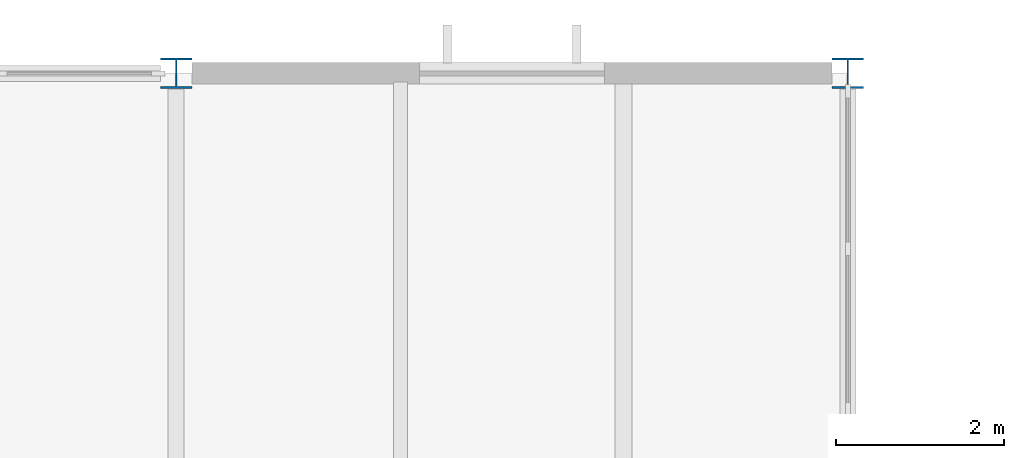
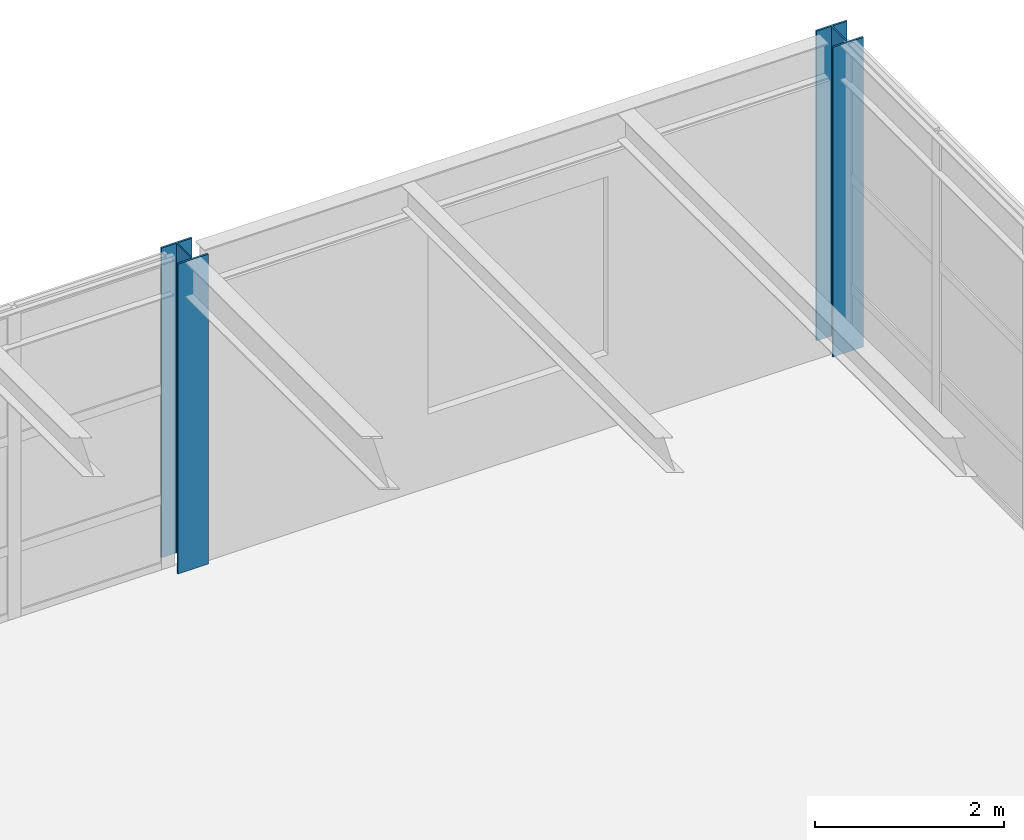
# One storey, part 8 of 50: 2 columns.
"""IFC4 building model written with IfcOpenShell, lengths in metres."""

import ifcopenshell
import ifcopenshell.guid

model = None  # the IFC model being written
_history = None  # IfcOwnerHistory: only IFC2X3 demands one
_inside = {}  # id of a spatial element -> (the spatial element, [elements in it])
_under = {}  # id of a project, library or spatial element -> (it, [spatial elements below it])
_declared = {}  # id of a project -> (the project, [libraries it declares])
_typed = {}  # id of a type object -> (the type object, [elements of that type])
_made_of = {}  # id of a material, layer set ... -> (it, [elements and type objects made of it])


def new_model(schema):
    """Start an empty IFC model of exactly this schema.

    Asked for "IFC4X3", IfcOpenShell would pick the latest addendum, in which some entities
    have other attributes; the version numbers below select the first issue.
    IFC2X3 requires an IfcOwnerHistory on every rooted entity: one is made here for all.
    """
    global model, _history
    if schema == "IFC4X3":
        model = ifcopenshell.file(schema_version=(4, 3, 0, 0))
    else:
        model = ifcopenshell.file(schema=schema)
    _inside.clear()
    _under.clear()
    _declared.clear()
    _typed.clear()
    _made_of.clear()
    _history = None
    if model.schema == "IFC2X3":
        org = make("IfcOrganization", Name="unknown")
        user = make(
            "IfcPersonAndOrganization",
            ThePerson=make("IfcPerson", FamilyName="unknown"),
            TheOrganization=org,
        )
        app = make(
            "IfcApplication",
            ApplicationDeveloper=org,
            Version="unknown",
            ApplicationFullName="unknown",
            ApplicationIdentifier="unknown",
        )
        _history = make(
            "IfcOwnerHistory",
            OwningUser=user,
            OwningApplication=app,
            ChangeAction="ADDED",
            CreationDate=0,
        )
    return model


def make(cls, **values):
    """One entity of the class cls with the attributes given. An attribute that is None is left unset."""
    return model.create_entity(
        cls, **{name: value for name, value in values.items() if value is not None}
    )


def rooted(cls, **values):
    """An entity with a GlobalId (a new one), such as an element, a storey or a relation."""
    return make(cls, GlobalId=ifcopenshell.guid.new(), OwnerHistory=_history, **values)


def si_unit(unit_type, name, prefix=None):
    """IfcSIUnit, for example si_unit("LENGTHUNIT", "METRE", prefix="MILLI")."""
    return make("IfcSIUnit", UnitType=unit_type, Prefix=prefix, Name=name)


def assignment(units):
    """IfcUnitAssignment: the units of a project."""
    return None if units is None else make("IfcUnitAssignment", Units=units)


def point(xyz):
    """IfcCartesianPoint."""
    return None if xyz is None else make("IfcCartesianPoint", Coordinates=xyz)


def direction(xyz):
    """IfcDirection."""
    return None if xyz is None else make("IfcDirection", DirectionRatios=xyz)


def frame(location, z_axis=None, x_axis=None):
    """IfcAxis2Placement3D, a coordinate frame: its origin and axes. An axis left out is left unset."""
    return make(
        "IfcAxis2Placement3D",
        Location=point(location),
        Axis=direction(z_axis),
        RefDirection=direction(x_axis),
    )


def frame_2d(location, x_axis=None):
    """IfcAxis2Placement2D, a coordinate frame in the plane: its origin and x axis."""
    return make(
        "IfcAxis2Placement2D", Location=point(location), RefDirection=direction(x_axis)
    )


def origin():
    """The frame at (0, 0, 0) with its axes left unset."""
    return frame((0.0, 0.0, 0.0))


def origin_2d():
    """The frame at (0, 0) in the plane with its x axis left unset."""
    return frame_2d((0.0, 0.0))


def place(relative_to, where):
    """IfcLocalPlacement: puts the frame where relative to a parent placement (None: the world)."""
    return make(
        "IfcLocalPlacement", PlacementRelTo=relative_to, RelativePlacement=where
    )


def context(
    kind, dimensions, precision=None, world=None, true_north=None, identifier=None
):
    """IfcGeometricRepresentationContext, for example the 3D "Model" context."""
    return make(
        "IfcGeometricRepresentationContext",
        ContextIdentifier=identifier,
        ContextType=kind,
        CoordinateSpaceDimension=dimensions,
        Precision=precision,
        WorldCoordinateSystem=world,
        TrueNorth=true_north,
    )


def subcontext(parent, identifier, kind, view, scale=None):
    """IfcGeometricRepresentationSubContext, for example "Body" below "Model"."""
    return make(
        "IfcGeometricRepresentationSubContext",
        ContextIdentifier=identifier,
        ContextType=kind,
        ParentContext=parent,
        TargetScale=scale,
        TargetView=view,
    )


def project(units=None, contexts=None):
    """IfcProject with its units and contexts."""
    return rooted(
        "IfcProject",
        Name="project",
        RepresentationContexts=contexts,
        UnitsInContext=assignment(units),
    )


def spatial(cls, under=None, at=None, **own):
    """A site, building, storey or space (cls), placed at a placement, below another one or the project."""
    s = rooted(cls, ObjectPlacement=at, **own)
    if under is not None:
        _under.setdefault(under.id(), (under, []))[1].append(s)
    return s


def profile(cls, at=None, kind="AREA", **sizes):
    """A parametric profile (cls). Its sizes go by their IFC names, for example OverallWidth=200.0."""
    return make(cls, ProfileType=kind, Position=at, **sizes)


def i_section(**sizes):
    """IfcIShapeProfileDef."""
    return profile("IfcIShapeProfileDef", **sizes)


def extrude(swept, where, along, depth):
    """IfcExtrudedAreaSolid: the profile swept, set in the frame where, extruded along a direction by depth."""
    return make(
        "IfcExtrudedAreaSolid",
        SweptArea=swept,
        Position=where,
        ExtrudedDirection=direction(along),
        Depth=depth,
    )


def shape(context_of_items, identifier, shape_type, items):
    """IfcShapeRepresentation: the items that make up one representation, for example the "Body"."""
    return make(
        "IfcShapeRepresentation",
        ContextOfItems=context_of_items,
        RepresentationIdentifier=identifier,
        RepresentationType=shape_type,
        Items=items,
    )


def material(Name=None, Category=None):
    """IfcMaterial."""
    return make("IfcMaterial", Name=Name, Category=Category)


def material_profile(
    of_material, cross_section, Name=None, Category=None, Priority=None
):
    """IfcMaterialProfile: a cross section and its material."""
    return make(
        "IfcMaterialProfile",
        Name=Name,
        Material=of_material,
        Profile=cross_section,
        Priority=Priority,
        Category=Category,
    )


def profile_set(profiles, Name=None, composite=None):
    """IfcMaterialProfileSet."""
    return make(
        "IfcMaterialProfileSet",
        Name=Name,
        MaterialProfiles=profiles,
        CompositeProfile=composite,
    )


def made_of(thing, what):
    """Note that an element or type object is made of a material, layer set ...; save() writes the relation."""
    if what is not None:
        _made_of.setdefault(what.id(), (what, []))[1].append(thing)
    return thing


def type_object(cls, material=None, **own):
    """A type object (cls), such as IfcWallType, which elements share."""
    return made_of(rooted(cls, **own), material)


def element(
    cls,
    number,
    at=None,
    inside=None,
    cuts=None,
    type_object=None,
    material=None,
    context=None,
    identifier="Body",
    shape_type=None,
    held_by="IfcProductDefinitionShape",
    body=None,
    shapes=None,
    **own,
):
    """One element of the class cls, such as IfcWall. Its Tag is "e" and its number.

    at: its placement. inside: the storey or other place that contains it. cuts: it is an
    opening in that element (IfcRelVoidsElement). A single representation is given by context,
    identifier, shape_type and body (its items); several are given by shapes. held_by: the class
    of the entity that holds the representations. save() writes the other relations.
    """
    e = rooted(cls, Tag="e%d" % number, ObjectPlacement=at, **own)
    if body is not None:
        shapes = [shape(context, identifier, shape_type, body)]
    if shapes is not None:
        e.Representation = make(held_by, Representations=shapes)
    if inside is not None:
        _inside.setdefault(inside.id(), (inside, []))[1].append(e)
    if cuts is not None:
        rooted(
            "IfcRelVoidsElement", RelatingBuildingElement=cuts, RelatedOpeningElement=e
        )
    if type_object is not None:
        _typed.setdefault(type_object.id(), (type_object, []))[1].append(e)
    return made_of(e, material)


def aggregate(whole, parts):
    """IfcRelAggregates: a whole, such as a stair, and the parts it consists of."""
    return rooted("IfcRelAggregates", RelatingObject=whole, RelatedObjects=parts)


def save(model, path):
    """Write the relations noted so far, then the file.

    IfcRelAggregates (storeys below a building ...), IfcRelContainedInSpatialStructure (elements
    in a storey), IfcRelDefinesByType, IfcRelAssociatesMaterial and IfcRelDeclares: one each for
    every whole, place, type object, material and project.
    """
    for whole, parts in _under.values():
        aggregate(whole, parts)
    for where, things in _inside.values():
        rooted(
            "IfcRelContainedInSpatialStructure",
            RelatedElements=things,
            RelatingStructure=where,
        )
    for kind, things in _typed.values():
        rooted("IfcRelDefinesByType", RelatedObjects=things, RelatingType=kind)
    for what, things in _made_of.values():
        rooted("IfcRelAssociatesMaterial", RelatedObjects=things, RelatingMaterial=what)
    for by, libraries in _declared.values():
        rooted("IfcRelDeclares", RelatingContext=by, RelatedDefinitions=libraries)
    model.write(path)


model = new_model("IFC4")

# Units and contexts
model_context = context("Model", 3, precision=1e-05, world=origin(), true_north=direction((0.0, 1.0)))
body_context = subcontext(model_context, "Body", "Model", "MODEL_VIEW")
ifc_project = project(units=[si_unit("LENGTHUNIT", "METRE"), si_unit("AREAUNIT", "SQUARE_METRE"), si_unit("VOLUMEUNIT", "CUBIC_METRE"), si_unit("PLANEANGLEUNIT", "RADIAN"), si_unit("MASSUNIT", "GRAM", prefix="KILO")], contexts=[model_context])

# Site, building, storey
site_placement = place(None, origin())
site = spatial("IfcSite", under=ifc_project, at=site_placement, CompositionType="ELEMENT")
building_placement = place(site_placement, origin())
building = spatial("IfcBuilding", under=site, at=building_placement, Name="Varnela Railside Interchange", CompositionType="ELEMENT")
storey_placement = place(building_placement, frame((0.0, 0.0, 15.39990234375)))
storey = spatial("IfcBuildingStorey", under=building, at=storey_placement, Name="L03", CompositionType="ELEMENT", Elevation=15.39990234375)

# Columns
ifc_material = material(Name="Steel AR 350 (350 MPa)", Category="steel")
ifc_material_profile = material_profile(ifc_material, i_section(OverallWidth=0.373046875, OverallDepth=0.367919921875, WebThickness=0.014892578125, FlangeThickness=0.02392578125, at=origin_2d()), Name="W360x179")
ifc_profile_set = profile_set([ifc_material_profile], Name="Steel AR 350 (350 MPa)")
column_type = type_object("IfcColumnType", Name="Superstructure Steel Col C-18", PredefinedType="COLUMN", material=ifc_profile_set)
for number, where, z_axis, x_axis, name in (
    (1, (132.0, 94.0, 0.0), (0.0, 0.0, 1.0), (1.0, 0.0, 0.0), "Column C-18 (L03) (CL-0840)"),
    (2, (140.0, 94.0, 0.0), (0.0, 0.0, 1.0), (1.0, 0.0, 0.0), "Column C-18 (L03) (CL-0848)"),
):
    element("IfcColumn", number, at=place(storey_placement, frame(where, z_axis=z_axis, x_axis=x_axis)), inside=storey, type_object=column_type, Name=name, PredefinedType="COLUMN", context=body_context, shape_type="SweptSolid", body=[
        extrude(i_section(OverallWidth=0.373046875, OverallDepth=0.367919921875, WebThickness=0.014892578125, FlangeThickness=0.02392578125, at=origin_2d()), origin(), (0.0, 0.0, 1.0), 4.0),
    ])

save(model, "model.ifc")
